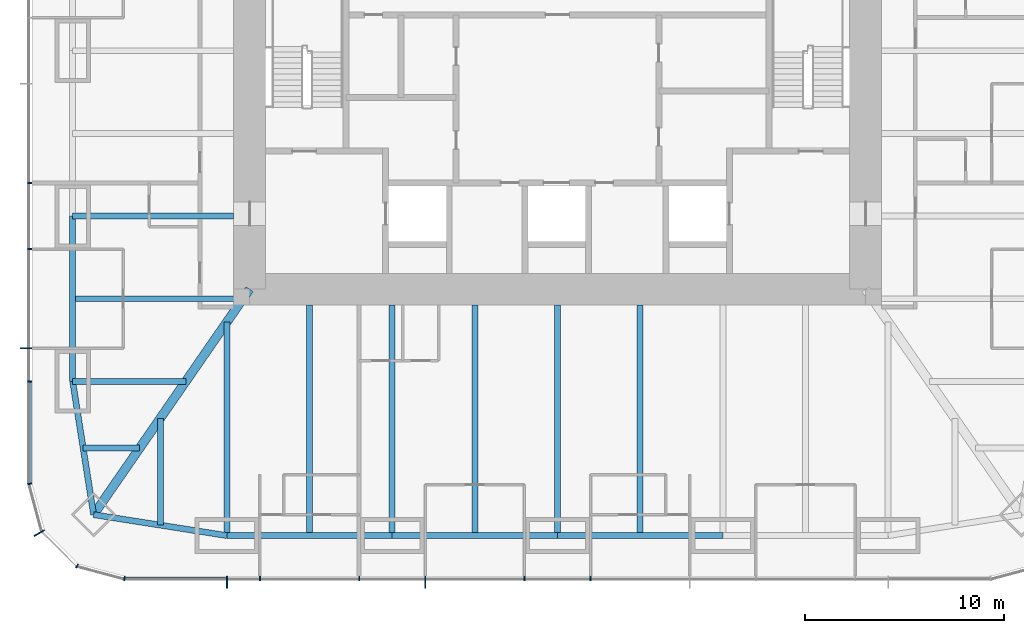
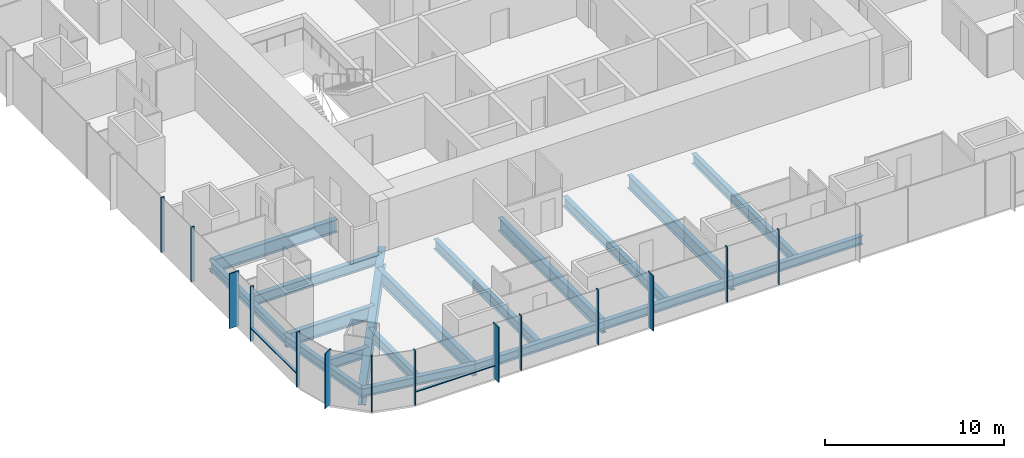
# One storey, part 2 of 12: 18 beams, 16 members, 3 elements without a shape of their own.
"""IFC4 building model written with IfcOpenShell, lengths in metres."""

from ifc_helpers import new_model, si_unit, direction, frame, origin, origin_2d, place, context, subcontext, project, spatial, rectangle, i_section, extrude, material, material_profile, profile_set, type_object, element, aggregate, save


model = new_model("IFC4")

# Units and contexts
model_context = context("Model", 3, precision=1e-05, world=origin(), true_north=direction((0.0, 1.0)))
body_context = subcontext(model_context, "Body", "Model", "MODEL_VIEW")
ifc_project = project(units=[si_unit("LENGTHUNIT", "METRE"), si_unit("AREAUNIT", "SQUARE_METRE"), si_unit("VOLUMEUNIT", "CUBIC_METRE"), si_unit("PLANEANGLEUNIT", "RADIAN"), si_unit("MASSUNIT", "GRAM", prefix="KILO")], contexts=[model_context])

# Site, building, storey
site_placement = place(None, origin())
site = spatial("IfcSite", under=ifc_project, at=site_placement, CompositionType="ELEMENT")
building_placement = place(site_placement, origin())
building = spatial("IfcBuilding", under=site, at=building_placement, Name="Khuree Lantern Residences", CompositionType="ELEMENT")
storey_placement = place(building_placement, frame((0.0, 0.0, 203.25)))
storey = spatial("IfcBuildingStorey", under=building, at=storey_placement, Name="L50", CompositionType="ELEMENT", Elevation=203.25)

# Beams
ifc_material_1 = material(Name="Steel S355", Category="steel")
ifc_material_profile_1 = material_profile(ifc_material_1, i_section(OverallWidth=0.300048828125, OverallDepth=0.68994140625, WebThickness=0.014404296875, FlangeThickness=0.027099609375, FilletRadius=0.027099609375, at=origin_2d()), Name="HE 700 A")
ifc_profile_set_1 = profile_set([ifc_material_profile_1], Name="Steel S355")
beam_type_1 = type_object("IfcBeamType", Name="B-31 SECONDARY BEAM HE 700 A", PredefinedType="BEAM", material=ifc_profile_set_1)
for number, where, z_axis, x_axis, name in (
    (1, (4.159912109375, -24.39990234375, -0.594970703125), (0.0, 1.0, 0.0), (-1.0, 0.0, 0.0), "Secondary beam S3"),
    (2, (-4.159912109375, -24.39990234375, -0.594970703125), (0.0, 1.0, 0.0), (-1.0, 0.0, 0.0), "Secondary beam S4"),
    (3, (-12.47998046875, -24.39990234375, -0.594970703125), (0.0, 1.0, 0.0), (-1.0, 0.0, 0.0), "Secondary beam S5"),
):
    element("IfcBeam", number, at=place(storey_placement, frame(where, z_axis=z_axis, x_axis=x_axis)), inside=storey, type_object=beam_type_1, Name=name, PredefinedType="BEAM", context=body_context, shape_type="SweptSolid", body=[
        extrude(i_section(OverallWidth=0.300048828125, OverallDepth=0.68994140625, WebThickness=0.014404296875, FlangeThickness=0.027099609375, FilletRadius=0.027099609375, at=origin_2d()), origin(), (0.0, 0.0, 1.0), 11.599853515625),
    ])
beam_1_placement = place(storey_placement, frame((-19.992919921875, -23.872802734375, -0.594970703125), z_axis=(0.0, 1.0, 0.0), x_axis=(-1.0, 0.0, 0.0)))
element("IfcBeam", 4, at=beam_1_placement, inside=storey, type_object=beam_type_1, Name="Secondary beam S6", PredefinedType="BEAM", context=body_context, shape_type="SweptSolid", body=[
    extrude(i_section(OverallWidth=0.300048828125, OverallDepth=0.68994140625, WebThickness=0.014404296875, FlangeThickness=0.027099609375, FilletRadius=0.027099609375, at=origin_2d()), origin(), (0.0, 0.0, 1.0), 5.375732421875),
])
beam_2_placement = place(storey_placement, frame((-23.872802734375, -19.992919921875, -0.594970703125), z_axis=(1.0, 0.0, 0.0), x_axis=(0.0, 1.0, 0.0)))
element("IfcBeam", 5, at=beam_2_placement, inside=storey, type_object=beam_type_1, Name="Secondary beam W1", PredefinedType="BEAM", context=body_context, shape_type="SweptSolid", body=[
    extrude(i_section(OverallWidth=0.300048828125, OverallDepth=0.68994140625, WebThickness=0.014404296875, FlangeThickness=0.027099609375, FilletRadius=0.027099609375, at=origin_2d()), origin(), (0.0, 0.0, 1.0), 2.845703125),
])
beam_3_placement = place(storey_placement, frame((-24.39990234375, -12.47998046875, -0.594970703125), z_axis=(1.0, 0.0, 0.0), x_axis=(0.0, 1.0, 0.0)))
element("IfcBeam", 6, at=beam_3_placement, inside=storey, type_object=beam_type_1, Name="Secondary beam W2", PredefinedType="BEAM", context=body_context, shape_type="SweptSolid", body=[
    extrude(i_section(OverallWidth=0.300048828125, OverallDepth=0.68994140625, WebThickness=0.014404296875, FlangeThickness=0.027099609375, FilletRadius=0.027099609375, at=origin_2d()), origin(), (0.0, 0.0, 1.0), 8.56787109375),
])
ifc_material_profile_2 = material_profile(ifc_material_1, i_section(OverallWidth=0.300048828125, OverallDepth=0.590087890625, WebThickness=0.012939453125, FlangeThickness=0.02490234375, FilletRadius=0.027099609375, at=origin_2d()), Name="HE 600 A")
ifc_profile_set_2 = profile_set([ifc_material_profile_2], Name="Steel S355")
beam_type_2 = type_object("IfcBeamType", Name="E-31 SPANDREL BEAM HE 600 A", PredefinedType="SPANDREL", material=ifc_profile_set_2)
for number, where, z_axis, x_axis, name in (
    (7, (8.320068359375, -24.39990234375, -0.544921875), (-1.0, 0.0, 0.0), (0.0, -1.0, 0.0), "Spandrel beam S3"),
    (8, (0.0, -24.39990234375, -0.544921875), (-1.0, 0.0, 0.0), (0.0, -1.0, 0.0), "Spandrel beam S4"),
):
    element("IfcBeam", number, at=place(storey_placement, frame(where, z_axis=z_axis, x_axis=x_axis)), inside=storey, type_object=beam_type_2, Name=name, PredefinedType="SPANDREL", context=body_context, shape_type="SweptSolid", body=[
        extrude(i_section(OverallWidth=0.300048828125, OverallDepth=0.590087890625, WebThickness=0.012939453125, FlangeThickness=0.02490234375, FilletRadius=0.027099609375, at=origin_2d()), origin(), (0.0, 0.0, 1.0), 8.320068359375),
    ])
beam_4_placement = place(storey_placement, frame((-8.320068359375, -24.39990234375, -0.544921875), z_axis=(-1.0, 0.0, 0.0), x_axis=(0.0, -1.0, 0.0)))
element("IfcBeam", 9, at=beam_4_placement, inside=storey, type_object=beam_type_2, Name="Spandrel beam S5", PredefinedType="SPANDREL", context=body_context, shape_type="SweptSolid", body=[
    extrude(i_section(OverallWidth=0.300048828125, OverallDepth=0.590087890625, WebThickness=0.012939453125, FlangeThickness=0.02490234375, FilletRadius=0.027099609375, at=origin_2d()), origin(), (0.0, 0.0, 1.0), 8.31982421875),
])
for number, where, z_axis, x_axis, name in (
    (10, (-16.639892578125, -24.39990234375, -0.544921875), (-0.98786743189, 0.155299507442, 0.0), (-0.155299507442, -0.98786743189, 0.0), "Spandrel beam S6"),
    (11, (-23.345703125, -23.345703125, -0.544921875), (-0.155299507442, 0.98786743189, 0.0), (-0.98786743189, -0.155299507442, 0.0), "Spandrel beam W1"),
):
    element("IfcBeam", number, at=place(storey_placement, frame(where, z_axis=z_axis, x_axis=x_axis)), inside=storey, type_object=beam_type_2, Name=name, PredefinedType="SPANDREL", context=body_context, shape_type="SweptSolid", body=[
        extrude(i_section(OverallWidth=0.300048828125, OverallDepth=0.590087890625, WebThickness=0.012939453125, FlangeThickness=0.02490234375, FilletRadius=0.027099609375, at=origin_2d()), origin(), (0.0, 0.0, 1.0), 6.7880859375),
    ])
beam_5_placement = place(storey_placement, frame((-24.39990234375, -16.639892578125, -0.544921875), z_axis=(0.0, 1.0, 0.0), x_axis=(-1.0, 0.0, 0.0)))
element("IfcBeam", 12, at=beam_5_placement, inside=storey, type_object=beam_type_2, Name="Spandrel beam W2", PredefinedType="SPANDREL", context=body_context, shape_type="SweptSolid", body=[
    extrude(i_section(OverallWidth=0.300048828125, OverallDepth=0.590087890625, WebThickness=0.012939453125, FlangeThickness=0.02490234375, FilletRadius=0.027099609375, at=origin_2d()), origin(), (0.0, 0.0, 1.0), 8.31982421875),
])

# Curtain wall, member
ifc_material_2 = material(Name="Bronze anodised aluminium", Category="aluminium")
curtain_wall_type_1 = type_object("IfcCurtainWallType", Name="CW-T1 TOWER FACE CURTAIN WALL", PredefinedType="USERDEFINED", material=ifc_material_2)
curtain_wall_1_placement = place(storey_placement, origin())
curtain_wall_1 = element("IfcCurtainWall", 13, at=curtain_wall_1_placement, inside=storey, type_object=curtain_wall_type_1, Name="L50 WEST FACE CURTAIN WALL", ObjectType="Stick-built curtain wall", PredefinedType="USERDEFINED")
ifc_material_profile_3 = material_profile(ifc_material_2, rectangle(XDim=0.06494140625, YDim=0.60009765625, at=origin_2d()), Name="F1 65X600")
ifc_profile_set_3 = profile_set([ifc_material_profile_3], Name="Bronze anodised aluminium")
member_type_1 = type_object("IfcMemberType", Name="F1 BRONZE FIN MULLION TOWER 65X600", PredefinedType="MULLION", material=ifc_profile_set_3)
member_1_placement = place(storey_placement, frame((-26.75, -14.97607421875, 0.0), z_axis=(0.0, 0.0, 1.0), x_axis=(0.0, -1.0, 0.0)))
member_1 = element("IfcMember", 14, at=member_1_placement, type_object=member_type_1, Name="L50 WEST FACE FIN MULLION 41", PredefinedType="MULLION", context=body_context, shape_type="SweptSolid", body=[
    extrude(rectangle(XDim=0.06494140625, YDim=0.60009765625, at=origin_2d()), origin(), (0.0, 0.0, 1.0), 3.75),
])

curtain_wall_type_2 = type_object("IfcCurtainWallType", Name="CW-T2 TOWER CORNER CURTAIN WALL", PredefinedType="USERDEFINED", material=ifc_material_2)
curtain_wall_2_placement = place(storey_placement, origin())
curtain_wall_2 = element("IfcCurtainWall", 15, at=curtain_wall_2_placement, inside=storey, type_object=curtain_wall_type_2, Name="L50 SOUTH-WEST CORNER CURTAIN WALL", ObjectType="Faceted corner curtain wall", PredefinedType="USERDEFINED")
member_2_placement = place(storey_placement, frame((-26.0869140625, -24.27490234375, 0.0), z_axis=(0.0, 0.0, 1.0), x_axis=(0.499999989586, -0.866025409797, 0.0)))
member_2 = element("IfcMember", 16, at=member_2_placement, type_object=member_type_1, Name="L50 SOUTH-WEST CORNER FIN MULLION 44", PredefinedType="MULLION", context=body_context, shape_type="SweptSolid", body=[
    extrude(rectangle(XDim=0.06494140625, YDim=0.60009765625, at=origin_2d()), origin(), (0.0, 0.0, 1.0), 3.75),
])

# Curtain wall, members
curtain_wall_3_placement = place(storey_placement, origin())
curtain_wall_3 = element("IfcCurtainWall", 17, at=curtain_wall_3_placement, inside=storey, type_object=curtain_wall_type_1, Name="L50 SOUTH FACE CURTAIN WALL", ObjectType="Stick-built curtain wall", PredefinedType="USERDEFINED")
member_3_placement = place(storey_placement, frame((-16.639892578125, -26.75, 0.0), z_axis=(0.0, 0.0, 1.0), x_axis=(1.0, 0.0, 0.0)))
member_3 = element("IfcMember", 18, at=member_3_placement, type_object=member_type_1, Name="L50 SOUTH FACE FIN MULLION 47", PredefinedType="MULLION", context=body_context, shape_type="SweptSolid", body=[
    extrude(rectangle(XDim=0.06494140625, YDim=0.60009765625, at=origin_2d()), origin(), (0.0, 0.0, 1.0), 3.75),
])
member_4_placement = place(storey_placement, frame((-6.656005859375, -26.75, 0.0), z_axis=(0.0, 0.0, 1.0), x_axis=(1.0, 0.0, 0.0)))
member_4 = element("IfcMember", 19, at=member_4_placement, type_object=member_type_1, Name="L50 SOUTH FACE FIN MULLION 50", PredefinedType="MULLION", context=body_context, shape_type="SweptSolid", body=[
    extrude(rectangle(XDim=0.06494140625, YDim=0.60009765625, at=origin_2d()), origin(), (0.0, 0.0, 1.0), 3.75),
])

# Beams
ifc_material_profile_4 = material_profile(ifc_material_1, i_section(OverallWidth=0.300048828125, OverallDepth=0.89990234375, WebThickness=0.0185546875, FlangeThickness=0.034912109375, FilletRadius=0.030029296875, at=origin_2d()), Name="HE 900 B")
ifc_profile_set_4 = profile_set([ifc_material_profile_4], Name="Steel S355")
beam_type_3 = type_object("IfcBeamType", Name="G-31A GIRDER HE 900 B", PredefinedType="BEAM", material=ifc_profile_set_4)
for number, where, z_axis, x_axis, name in (
    (20, (0.0, -24.39990234375, -0.699951171875), (0.0, 1.0, 0.0), (-1.0, 0.0, 0.0), "Girder S3"),
    (21, (-8.320068359375, -24.39990234375, -0.699951171875), (0.0, 1.0, 0.0), (-1.0, 0.0, 0.0), "Girder S4"),
):
    element("IfcBeam", number, at=place(storey_placement, frame(where, z_axis=z_axis, x_axis=x_axis)), inside=storey, type_object=beam_type_3, Name=name, PredefinedType="BEAM", context=body_context, shape_type="SweptSolid", body=[
        extrude(i_section(OverallWidth=0.300048828125, OverallDepth=0.89990234375, WebThickness=0.0185546875, FlangeThickness=0.034912109375, FilletRadius=0.030029296875, at=origin_2d()), origin(), (0.0, 0.0, 1.0), 11.599853515625),
    ])
beam_6_placement = place(storey_placement, frame((-16.639892578125, -24.39990234375, -0.699951171875), z_axis=(0.0, 1.0, 0.0), x_axis=(-1.0, 0.0, 0.0)))
element("IfcBeam", 22, at=beam_6_placement, inside=storey, type_object=beam_type_3, Name="Girder S5", PredefinedType="BEAM", context=body_context, shape_type="SweptSolid", body=[
    extrude(i_section(OverallWidth=0.300048828125, OverallDepth=0.89990234375, WebThickness=0.0185546875, FlangeThickness=0.034912109375, FilletRadius=0.030029296875, at=origin_2d()), origin(), (0.0, 0.0, 1.0), 10.751220703125),
])
beam_7_placement = place(storey_placement, frame((-24.39990234375, -16.639892578125, -0.699951171875), z_axis=(1.0, 0.0, 0.0), x_axis=(0.0, 1.0, 0.0)))
element("IfcBeam", 23, at=beam_7_placement, inside=storey, type_object=beam_type_3, Name="Girder W1", PredefinedType="BEAM", context=body_context, shape_type="SweptSolid", body=[
    extrude(i_section(OverallWidth=0.300048828125, OverallDepth=0.89990234375, WebThickness=0.0185546875, FlangeThickness=0.034912109375, FilletRadius=0.030029296875, at=origin_2d()), origin(), (0.0, 0.0, 1.0), 5.69140625),
])
beam_8_placement = place(storey_placement, frame((-24.39990234375, -8.320068359375, -0.699951171875), z_axis=(1.0, 0.0, 0.0), x_axis=(0.0, 1.0, 0.0)))
element("IfcBeam", 24, at=beam_8_placement, inside=storey, type_object=beam_type_3, Name="Girder W2", PredefinedType="BEAM", context=body_context, shape_type="SweptSolid", body=[
    extrude(i_section(OverallWidth=0.300048828125, OverallDepth=0.89990234375, WebThickness=0.0185546875, FlangeThickness=0.034912109375, FilletRadius=0.030029296875, at=origin_2d()), origin(), (0.0, 0.0, 1.0), 8.099853515625),
])
ifc_material_profile_5 = material_profile(ifc_material_1, i_section(OverallWidth=0.449951171875, OverallDepth=1.199951171875, WebThickness=0.02490234375, FlangeThickness=0.044921875, at=origin_2d()), Name="WELDED I 1200X450X25X45")
ifc_profile_set_5 = profile_set([ifc_material_profile_5], Name="Steel S355")
beam_type_4 = type_object("IfcBeamType", Name="GD-31 CORNER GIRDER WELDED I 1200X450X25X45", PredefinedType="BEAM", material=ifc_profile_set_5)
beam_9_placement = place(storey_placement, frame((-23.345703125, -23.345703125, -0.85009765625), z_axis=(0.56876813501, 0.822497907959, 0.0), x_axis=(-0.822497907959, 0.56876813501, 0.0)))
element("IfcBeam", 25, at=beam_9_placement, inside=storey, type_object=beam_type_4, Name="Corner girder SW", PredefinedType="BEAM", context=body_context, shape_type="SweptSolid", body=[
    extrude(i_section(OverallWidth=0.449951171875, OverallDepth=1.199951171875, WebThickness=0.02490234375, FlangeThickness=0.044921875, at=origin_2d()), origin(), (0.0, 0.0, 1.0), 13.794189453125),
])

# Member
ifc_material_profile_6 = material_profile(ifc_material_2, rectangle(XDim=0.06494140625, YDim=0.219970703125, at=origin_2d()), Name="M1 65X220")
ifc_profile_set_6 = profile_set([ifc_material_profile_6], Name="Bronze anodised aluminium")
member_type_2 = type_object("IfcMemberType", Name="M1 BRONZE MULLION TOWER 65X220", PredefinedType="MULLION", material=ifc_profile_set_6)
member_5_placement = place(storey_placement, frame((-26.56005859375, -6.656005859375, 0.0), z_axis=(0.0, 0.0, 1.0), x_axis=(0.0, -1.0, 0.0)))
member_5 = element("IfcMember", 26, at=member_5_placement, type_object=member_type_2, Name="L50 WEST FACE MULLION 39", PredefinedType="MULLION", context=body_context, shape_type="SweptSolid", body=[
    extrude(rectangle(XDim=0.06494140625, YDim=0.219970703125, at=origin_2d()), origin(), (0.0, 0.0, 1.0), 3.75),
])

member_6_placement = place(storey_placement, frame((-26.56005859375, -9.98388671875, 0.0), z_axis=(0.0, 0.0, 1.0), x_axis=(0.0, -1.0, 0.0)))
member_6 = element("IfcMember", 27, at=member_6_placement, type_object=member_type_2, Name="L50 WEST FACE MULLION 40", PredefinedType="MULLION", context=body_context, shape_type="SweptSolid", body=[
    extrude(rectangle(XDim=0.06494140625, YDim=0.219970703125, at=origin_2d()), origin(), (0.0, 0.0, 1.0), 3.75),
])

member_7_placement = place(storey_placement, frame((-26.56005859375, -16.639892578125, 0.0), z_axis=(0.0, 0.0, 1.0), x_axis=(0.0, -1.0, 0.0)))
member_7 = element("IfcMember", 28, at=member_7_placement, type_object=member_type_2, Name="L50 WEST FACE MULLION 42", PredefinedType="MULLION", context=body_context, shape_type="SweptSolid", body=[
    extrude(rectangle(XDim=0.06494140625, YDim=0.219970703125, at=origin_2d()), origin(), (0.0, 0.0, 1.0), 3.75),
])

member_8_placement = place(storey_placement, frame((-26.561767578125, -21.794921875, 0.0), z_axis=(0.0, 0.0, 1.0), x_axis=(0.130526180298, -0.991444862943, 0.0)))
member_8 = element("IfcMember", 29, at=member_8_placement, type_object=member_type_2, Name="L50 SOUTH-WEST CORNER MULLION 43", PredefinedType="MULLION", context=body_context, shape_type="SweptSolid", body=[
    extrude(rectangle(XDim=0.06494140625, YDim=0.219970703125, at=origin_2d()), origin(), (0.0, 0.0, 1.0), 3.75),
])

member_9_placement = place(storey_placement, frame((-24.179931640625, -25.92236328125, 0.0), z_axis=(0.0, 0.0, 1.0), x_axis=(0.866025409797, -0.499999989586, 0.0)))
member_9 = element("IfcMember", 30, at=member_9_placement, type_object=member_type_2, Name="L50 SOUTH-WEST CORNER MULLION 45", PredefinedType="MULLION", context=body_context, shape_type="SweptSolid", body=[
    extrude(rectangle(XDim=0.06494140625, YDim=0.219970703125, at=origin_2d()), origin(), (0.0, 0.0, 1.0), 3.75),
])

aggregate(curtain_wall_2, [member_8, member_2, member_9])

member_10_placement = place(storey_placement, frame((-21.794921875, -26.561767578125, 0.0), z_axis=(0.0, 0.0, 1.0), x_axis=(0.991444862943, -0.130526180298, 0.0)))
member_10 = element("IfcMember", 31, at=member_10_placement, type_object=member_type_2, Name="L50 SOUTH FACE MULLION 46", PredefinedType="MULLION", context=body_context, shape_type="SweptSolid", body=[
    extrude(rectangle(XDim=0.06494140625, YDim=0.219970703125, at=origin_2d()), origin(), (0.0, 0.0, 1.0), 3.75),
])

member_11_placement = place(storey_placement, frame((-14.97607421875, -26.56005859375, 0.0), z_axis=(0.0, 0.0, 1.0), x_axis=(1.0, 0.0, 0.0)))
member_11 = element("IfcMember", 32, at=member_11_placement, type_object=member_type_2, Name="L50 SOUTH FACE MULLION 48", PredefinedType="MULLION", context=body_context, shape_type="SweptSolid", body=[
    extrude(rectangle(XDim=0.06494140625, YDim=0.219970703125, at=origin_2d()), origin(), (0.0, 0.0, 1.0), 3.75),
])

member_12_placement = place(storey_placement, frame((-9.98388671875, -26.56005859375, 0.0), z_axis=(0.0, 0.0, 1.0), x_axis=(1.0, 0.0, 0.0)))
member_12 = element("IfcMember", 33, at=member_12_placement, type_object=member_type_2, Name="L50 SOUTH FACE MULLION 49", PredefinedType="MULLION", context=body_context, shape_type="SweptSolid", body=[
    extrude(rectangle(XDim=0.06494140625, YDim=0.219970703125, at=origin_2d()), origin(), (0.0, 0.0, 1.0), 3.75),
])

member_13_placement = place(storey_placement, frame((-1.6640625, -26.56005859375, 0.0), z_axis=(0.0, 0.0, 1.0), x_axis=(1.0, 0.0, 0.0)))
member_13 = element("IfcMember", 34, at=member_13_placement, type_object=member_type_2, Name="L50 SOUTH FACE MULLION 51", PredefinedType="MULLION", context=body_context, shape_type="SweptSolid", body=[
    extrude(rectangle(XDim=0.06494140625, YDim=0.219970703125, at=origin_2d()), origin(), (0.0, 0.0, 1.0), 3.75),
])

member_14_placement = place(storey_placement, frame((1.6640625, -26.56005859375, 0.0), z_axis=(0.0, 0.0, 1.0), x_axis=(1.0, 0.0, 0.0)))
member_14 = element("IfcMember", 35, at=member_14_placement, type_object=member_type_2, Name="L50 SOUTH FACE MULLION 52", PredefinedType="MULLION", context=body_context, shape_type="SweptSolid", body=[
    extrude(rectangle(XDim=0.06494140625, YDim=0.219970703125, at=origin_2d()), origin(), (0.0, 0.0, 1.0), 3.75),
])

ifc_material_profile_7 = material_profile(ifc_material_2, rectangle(XDim=0.179931640625, YDim=0.06494140625, at=origin_2d()), Name="T1 180X65")
ifc_profile_set_7 = profile_set([ifc_material_profile_7], Name="Bronze anodised aluminium")
member_type_3 = type_object("IfcMemberType", Name="TRANSOM T1 TOWER 180X65", PredefinedType="USERDEFINED", material=ifc_profile_set_7)
member_15_placement = place(storey_placement, frame((-26.570068359375, -16.672607421875, 0.89990234375), z_axis=(0.0, -1.0, 0.0), x_axis=(1.0, 0.0, 0.0)))
member_15 = element("IfcMember", 36, at=member_15_placement, type_object=member_type_3, Name="L50 WEST FACE TRANSOM 42.1", ObjectType="Transom", PredefinedType="USERDEFINED", context=body_context, shape_type="SweptSolid", body=[
    extrude(rectangle(XDim=0.179931640625, YDim=0.06494140625, at=origin_2d()), origin(), (0.0, 0.0, 1.0), 5.078857421875),
])

aggregate(curtain_wall_1, [member_5, member_6, member_1, member_7, member_15])

member_16_placement = place(storey_placement, frame((-21.75146484375, -26.570068359375, 0.89990234375), z_axis=(1.0, 0.0, 0.0), x_axis=(0.0, 1.0, 0.0)))
member_16 = element("IfcMember", 37, at=member_16_placement, type_object=member_type_3, Name="L50 SOUTH FACE TRANSOM 46.1", ObjectType="Transom", PredefinedType="USERDEFINED", context=body_context, shape_type="SweptSolid", body=[
    extrude(rectangle(XDim=0.179931640625, YDim=0.06494140625, at=origin_2d()), origin(), (0.0, 0.0, 1.0), 5.078857421875),
])

aggregate(curtain_wall_3, [member_10, member_3, member_11, member_12, member_4, member_13, member_14, member_16])

save(model, "model.ifc")
